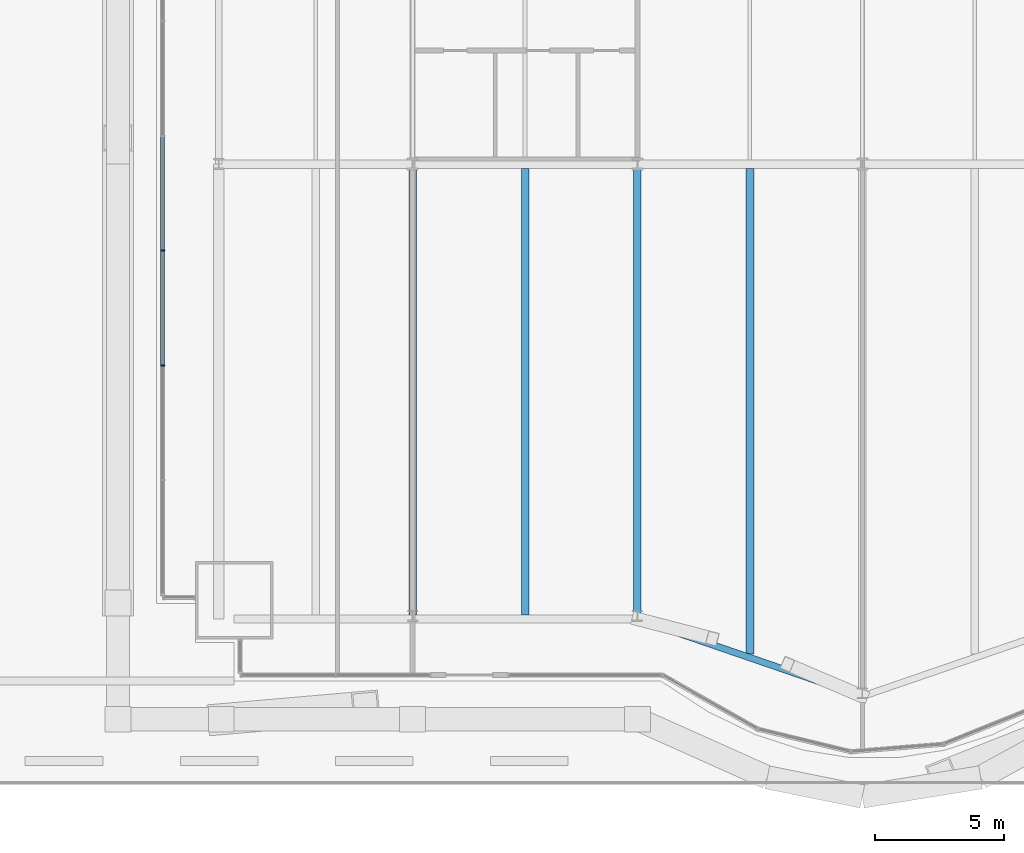
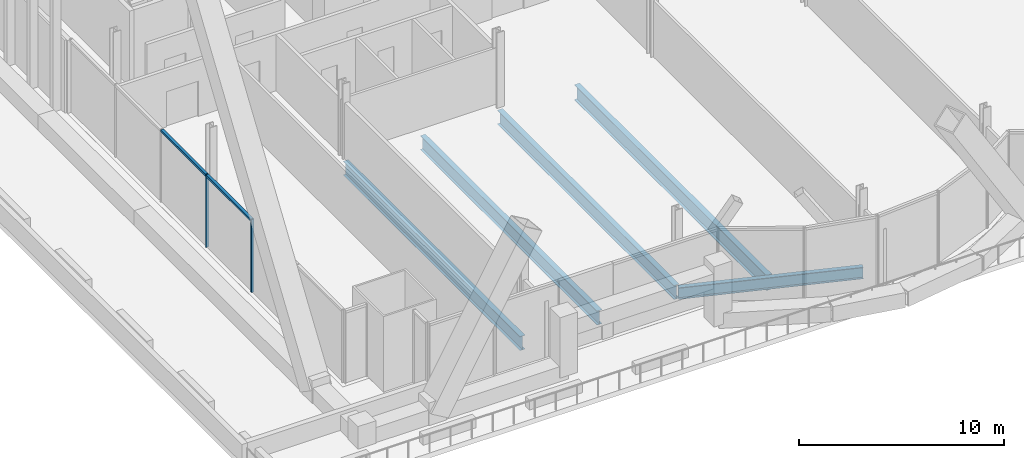
# One storey, part 5 of 29: 5 beams, 4 members, 1 element without a shape of its own.
"""IFC4 building model written with IfcOpenShell, lengths in metres."""

from ifc_helpers import new_model, si_unit, direction, frame, origin, origin_2d, place, context, subcontext, project, spatial, rectangle, i_section, extrude, material, material_profile, profile_set, type_object, element, aggregate, save


model = new_model("IFC4")

# Units and contexts
model_context = context("Model", 3, precision=1e-05, world=origin(), true_north=direction((0.0, 1.0)))
body_context = subcontext(model_context, "Body", "Model", "MODEL_VIEW")
ifc_project = project(units=[si_unit("LENGTHUNIT", "METRE"), si_unit("AREAUNIT", "SQUARE_METRE"), si_unit("VOLUMEUNIT", "CUBIC_METRE"), si_unit("PLANEANGLEUNIT", "RADIAN"), si_unit("MASSUNIT", "GRAM", prefix="KILO")], contexts=[model_context])

# Site, building, storey
site_placement = place(None, origin())
site = spatial("IfcSite", under=ifc_project, at=site_placement, CompositionType="ELEMENT")
building_placement = place(site_placement, origin())
building = spatial("IfcBuilding", under=site, at=building_placement, Name="Bicima Exchange Tower", CompositionType="ELEMENT")
storey_placement = place(building_placement, frame((0.0, 0.0, 35.0)))
storey = spatial("IfcBuildingStorey", under=building, at=storey_placement, Name="L06", CompositionType="ELEMENT", Elevation=35.0)

# Curtain wall, members
ifc_material_1 = material(Name="Anodised bronze aluminium", Category="aluminium")
curtain_wall_type = type_object("IfcCurtainWallType", Name="End face glass wall", PredefinedType="NOTDEFINED", material=ifc_material_1)
curtain_wall_placement = place(storey_placement, origin())
curtain_wall = element("IfcCurtainWall", 1, at=curtain_wall_placement, inside=storey, type_object=curtain_wall_type, Name="End face glass wall L06 run 2", PredefinedType="NOTDEFINED")
ifc_material_profile_1 = material_profile(ifc_material_1, rectangle(XDim=0.159912109375, YDim=0.06005859375, at=origin_2d()))
ifc_profile_set_1 = profile_set([ifc_material_profile_1], Name="Anodised bronze aluminium")
member_type_1 = type_object("IfcMemberType", Name="End face glass wall mullion 60 x 160", PredefinedType="MULLION", material=ifc_profile_set_1)
member_1_placement = place(storey_placement, frame((-35.77001953125, -25.344970703125, 0.0), z_axis=(0.0, 0.0, 1.0), x_axis=(1.0, 0.0, 0.0)))
member_1 = element("IfcMember", 2, at=member_1_placement, type_object=member_type_1, Name="End face glass wall mullion 4", PredefinedType="MULLION", context=body_context, shape_type="SweptSolid", body=[
    extrude(rectangle(XDim=0.159912109375, YDim=0.06005859375, at=origin_2d()), origin(), (0.0, 0.0, 1.0), 4.35009765625),
])
member_2_placement = place(storey_placement, frame((-35.77001953125, -29.783203125, 0.0), z_axis=(0.0, 0.0, 1.0), x_axis=(1.0, 0.0, 0.0)))
member_2 = element("IfcMember", 3, at=member_2_placement, type_object=member_type_1, Name="End face glass wall mullion 5", PredefinedType="MULLION", context=body_context, shape_type="SweptSolid", body=[
    extrude(rectangle(XDim=0.159912109375, YDim=0.06005859375, at=origin_2d()), origin(), (0.0, 0.0, 1.0), 4.35009765625),
])
ifc_material_profile_2 = material_profile(ifc_material_1, rectangle(XDim=0.159912109375, YDim=0.139892578125, at=origin_2d()))
ifc_profile_set_2 = profile_set([ifc_material_profile_2], Name="Anodised bronze aluminium")
member_type_2 = type_object("IfcMemberType", Name="End face glass wall transom 140 x 160", PredefinedType="USERDEFINED", material=ifc_profile_set_2)
member_3_placement = place(storey_placement, frame((-35.77001953125, -20.936767578125, 4.280029296875), z_axis=(0.0, -1.0, 0.0), x_axis=(1.0, 0.0, 0.0)))
member_3 = element("IfcMember", 4, at=member_3_placement, type_object=member_type_2, Name="End face glass wall transom 3.1", ObjectType="TRANSOM", PredefinedType="USERDEFINED", context=body_context, shape_type="SweptSolid", body=[
    extrude(rectangle(XDim=0.159912109375, YDim=0.139892578125, at=origin_2d()), origin(), (0.0, 0.0, 1.0), 4.378173828125),
])
member_4_placement = place(storey_placement, frame((-35.77001953125, -25.375, 4.280029296875), z_axis=(0.0, -1.0, 0.0), x_axis=(1.0, 0.0, 0.0)))
member_4 = element("IfcMember", 5, at=member_4_placement, type_object=member_type_2, Name="End face glass wall transom 4.1", ObjectType="TRANSOM", PredefinedType="USERDEFINED", context=body_context, shape_type="SweptSolid", body=[
    extrude(rectangle(XDim=0.159912109375, YDim=0.139892578125, at=origin_2d()), origin(), (0.0, 0.0, 1.0), 4.37841796875),
])
aggregate(curtain_wall, [member_1, member_2, member_3, member_4])

# Beams
ifc_material_2 = material(Name="Steel ASTM A992 Gr 50", Category="steel")
ifc_material_profile_3 = material_profile(ifc_material_2, i_section(OverallWidth=0.2919921875, OverallDepth=0.835693359375, WebThickness=0.013916015625, FlangeThickness=0.018798828125, at=origin_2d()))
ifc_profile_set_3 = profile_set([ifc_material_profile_3], Name="Steel ASTM A992 Gr 50")
beam_type_1 = type_object("IfcBeamType", Name="Floor beam W33x118", PredefinedType="JOIST", material=ifc_profile_set_3)
for number, where, z_axis, x_axis, name in (
    (6, (-26.10009765625, -22.16259765625, -0.56787109375), (0.0, -1.0, 0.0), (1.0, 0.0, 0.0), "Floor beam"),
    (7, (-21.75, -22.16259765625, -0.56787109375), (0.0, -1.0, 0.0), (1.0, 0.0, 0.0), "Floor beam"),
    (8, (-17.39990234375, -22.16259765625, -0.56787109375), (0.0, -1.0, 0.0), (1.0, 0.0, 0.0), "Floor beam"),
):
    element("IfcBeam", number, at=place(storey_placement, frame(where, z_axis=z_axis, x_axis=x_axis)), inside=storey, type_object=beam_type_1, Name=name, PredefinedType="JOIST", context=body_context, shape_type="SweptSolid", body=[
        extrude(i_section(OverallWidth=0.2919921875, OverallDepth=0.835693359375, WebThickness=0.013916015625, FlangeThickness=0.018798828125, at=origin_2d()), origin(), (0.0, 0.0, 1.0), 17.27490234375),
    ])
ifc_material_profile_4 = material_profile(ifc_material_2, i_section(OverallWidth=0.3046875, OverallDepth=0.904296875, WebThickness=0.01513671875, FlangeThickness=0.02001953125, at=origin_2d()))
ifc_profile_set_4 = profile_set([ifc_material_profile_4], Name="Steel ASTM A992 Gr 50")
beam_type_2 = type_object("IfcBeamType", Name="Floor beam W36x135", PredefinedType="JOIST", material=ifc_profile_set_4)
beam_1_placement = place(storey_placement, frame((-13.050048828125, -22.16259765625, -0.60205078125), z_axis=(0.0, -1.0, 0.0), x_axis=(1.0, 0.0, 0.0)))
element("IfcBeam", 9, at=beam_1_placement, inside=storey, type_object=beam_type_2, Name="Floor beam", PredefinedType="JOIST", context=body_context, shape_type="SweptSolid", body=[
    extrude(i_section(OverallWidth=0.3046875, OverallDepth=0.904296875, WebThickness=0.01513671875, FlangeThickness=0.02001953125, at=origin_2d()), origin(), (0.0, 0.0, 1.0), 18.79736328125),
])
ifc_material_profile_5 = material_profile(ifc_material_2, i_section(OverallWidth=0.256591796875, OverallDepth=0.693359375, WebThickness=0.014404296875, FlangeThickness=0.023681640625, at=origin_2d()))
ifc_profile_set_5 = profile_set([ifc_material_profile_5], Name="Steel ASTM A992 Gr 50")
beam_type_3 = type_object("IfcBeamType", Name="Front girder W27x114", PredefinedType="BEAM", material=ifc_profile_set_5)
beam_2_placement = place(storey_placement, frame((-17.39990234375, -39.60009765625, -0.49658203125), z_axis=(0.945674616091, -0.32511462668, 0.0), x_axis=(0.32511462668, 0.945674616091, 0.0)))
element("IfcBeam", 10, at=beam_2_placement, inside=storey, type_object=beam_type_3, Name="Front girder", PredefinedType="BEAM", context=body_context, shape_type="SweptSolid", body=[
    extrude(i_section(OverallWidth=0.256591796875, OverallDepth=0.693359375, WebThickness=0.014404296875, FlangeThickness=0.023681640625, at=origin_2d()), origin(), (0.0, 0.0, 1.0), 9.19970703125),
])

save(model, "model.ifc")
